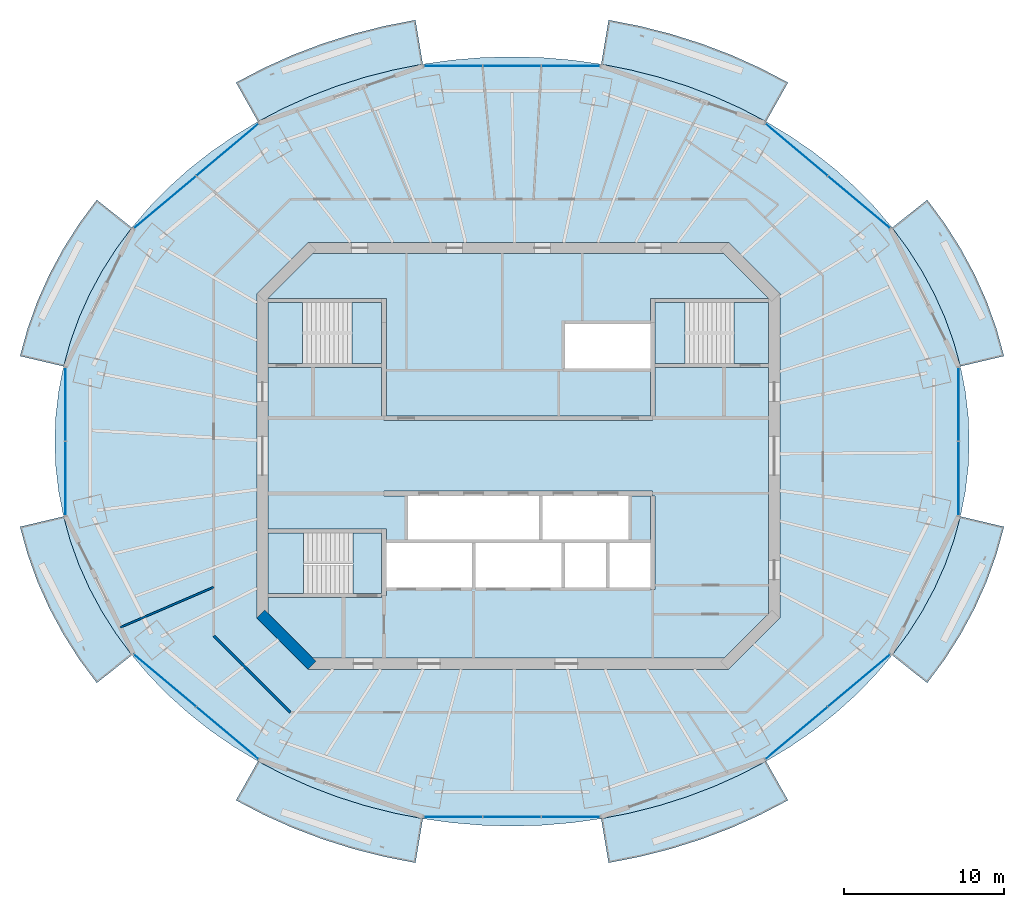
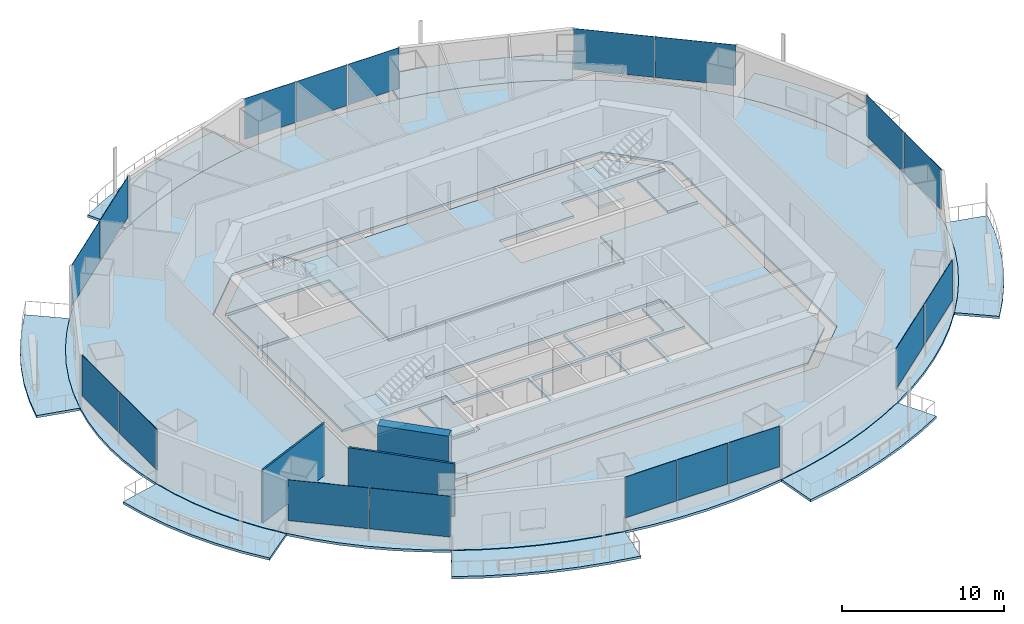
# One storey, part 7 of 16: 18 plates, 17 slabs, 3 walls, 11 elements without a shape of their own.
"""IFC4 building model written with IfcOpenShell, lengths in metres."""

from ifc_helpers import new_model, si_unit, direction, frame, frame_2d, origin, origin_2d, place, context, subcontext, project, spatial, polyline, rectangle, outline, extrude, material, layer, layer_set, type_object, element, aggregate, save


model = new_model("IFC4")

# Units and contexts
model_context = context("Model", 3, precision=1e-05, world=origin(), true_north=direction((0.0, 1.0)))
body_context = subcontext(model_context, "Body", "Model", "MODEL_VIEW")
ifc_project = project(units=[si_unit("LENGTHUNIT", "METRE"), si_unit("AREAUNIT", "SQUARE_METRE"), si_unit("VOLUMEUNIT", "CUBIC_METRE"), si_unit("PLANEANGLEUNIT", "RADIAN"), si_unit("MASSUNIT", "GRAM", prefix="KILO")], contexts=[model_context])

# Site, building, storey
site_placement = place(None, origin())
site = spatial("IfcSite", under=ifc_project, at=site_placement, CompositionType="ELEMENT")
building_placement = place(site_placement, origin())
building = spatial("IfcBuilding", under=site, at=building_placement, Name="Marenthal Gate Tower", CompositionType="ELEMENT")
storey_placement = place(building_placement, frame((0.0, 0.0, 305.25)))
storey = spatial("IfcBuildingStorey", under=building, at=storey_placement, Name="L68", CompositionType="ELEMENT", Elevation=305.25)

# Slabs
ifc_material_1 = material(Name="Concrete 40 MPa", Category="concrete")
ifc_layer_1 = layer(ifc_material_1, 0.179931640625)
ifc_layer_set_1 = layer_set([ifc_layer_1], Name="Balcony deck 180")
slab_type_1 = type_object("IfcSlabType", Name="Balcony deck 180", PredefinedType="USERDEFINED", material=ifc_layer_set_1)
slab_1_placement = place(storey_placement, frame((0.0, 0.0, -0.219970703125)))
element("IfcSlab", 1, at=slab_1_placement, inside=storey, type_object=slab_type_1, Name="Balcony deck L68 bay 1", ObjectType="BALCONY", PredefinedType="USERDEFINED", context=body_context, shape_type="SweptSolid", body=[
    extrude(outline(polyline([(27.646484375, 5.593505859375), (27.2216796875, 7.126708984375), (26.678466796875, 8.63330078125), (26.019287109375, 10.106689453125), (25.2470703125, 11.54052734375), (24.364990234375, 12.928955078125), (23.376708984375, 14.265869140625), (25.5693359375, 16.00732421875), (26.673583984375, 14.513427734375), (27.66259765625, 12.95654296875), (28.53125, 11.343505859375), (29.27490234375, 9.680908203125), (29.8896484375, 7.976318359375), (30.371337890625, 6.23779296875), (27.646484375, 5.593505859375)])), origin(), (0.0, 0.0, 1.0), 0.179931640625),
])
slab_2_placement = place(storey_placement, frame((0.0, 0.0, -0.219970703125)))
element("IfcSlab", 2, at=slab_2_placement, inside=storey, type_object=slab_type_1, Name="Balcony deck L68 bay 3", ObjectType="BALCONY", PredefinedType="USERDEFINED", context=body_context, shape_type="SweptSolid", body=[
    extrude(outline(polyline([(15.487060546875, 20.903564453125), (13.89794921875, 21.73486328125), (12.247802734375, 22.47705078125), (10.543212890625, 23.126708984375), (8.7919921875, 23.68115234375), (7.001220703125, 24.13818359375), (5.1787109375, 24.49560546875), (5.640869140625, 27.25732421875), (7.616943359375, 26.86962890625), (9.560791015625, 26.37353515625), (11.464599609375, 25.770751953125), (13.32080078125, 25.063232421875), (15.121337890625, 24.25341796875), (16.859130859375, 23.34423828125), (15.487060546875, 20.903564453125)])), origin(), (0.0, 0.0, 1.0), 0.179931640625),
])
slab_3_placement = place(storey_placement, frame((0.0, 0.0, -0.219970703125)))
element("IfcSlab", 3, at=slab_3_placement, inside=storey, type_object=slab_type_1, Name="Balcony deck L68 bay 5", ObjectType="BALCONY", PredefinedType="USERDEFINED", context=body_context, shape_type="SweptSolid", body=[
    extrude(outline(polyline([(-5.978759765625, 24.49560546875), (-7.80126953125, 24.13818359375), (-9.591796875, 23.68115234375), (-11.34326171875, 23.126708984375), (-13.047607421875, 22.47705078125), (-14.697998046875, 21.73486328125), (-16.287109375, 20.903564453125), (-17.6591796875, 23.34423828125), (-15.92138671875, 24.25341796875), (-14.12060546875, 25.063232421875), (-12.2646484375, 25.770751953125), (-10.36083984375, 26.37353515625), (-8.4169921875, 26.86962890625), (-6.44091796875, 27.25732421875), (-5.978759765625, 24.49560546875)])), origin(), (0.0, 0.0, 1.0), 0.179931640625),
])
slab_4_placement = place(storey_placement, frame((0.0, 0.0, -0.219970703125)))
element("IfcSlab", 4, at=slab_4_placement, inside=storey, type_object=slab_type_1, Name="Balcony deck L68 bay 7", ObjectType="BALCONY", PredefinedType="USERDEFINED", context=body_context, shape_type="SweptSolid", body=[
    extrude(outline(polyline([(-24.1767578125, 14.265869140625), (-25.164794921875, 12.928955078125), (-26.047119140625, 11.54052734375), (-26.8193359375, 10.106689453125), (-27.478515625, 8.63330078125), (-28.021484375, 7.126708984375), (-28.446533203125, 5.593505859375), (-31.17138671875, 6.23779296875), (-30.689453125, 7.976318359375), (-30.074951171875, 9.680908203125), (-29.331298828125, 11.343505859375), (-28.462646484375, 12.95654296875), (-27.4736328125, 14.513427734375), (-26.369384765625, 16.00732421875), (-24.1767578125, 14.265869140625)])), origin(), (0.0, 0.0, 1.0), 0.179931640625),
])
slab_5_placement = place(storey_placement, frame((0.0, 0.0, -0.219970703125)))
element("IfcSlab", 5, at=slab_5_placement, inside=storey, type_object=slab_type_1, Name="Balcony deck L68 bay 9", ObjectType="BALCONY", PredefinedType="USERDEFINED", context=body_context, shape_type="SweptSolid", body=[
    extrude(outline(polyline([(-28.446533203125, -3.79345703125), (-28.021484375, -5.32666015625), (-27.478515625, -6.833251953125), (-26.8193359375, -8.306640625), (-26.047119140625, -9.740478515625), (-25.164794921875, -11.12890625), (-24.1767578125, -12.4658203125), (-26.369384765625, -14.207275390625), (-27.4736328125, -12.71337890625), (-28.462646484375, -11.156494140625), (-29.331298828125, -9.54345703125), (-30.074951171875, -7.880859375), (-30.689453125, -6.176513671875), (-31.17138671875, -4.437744140625), (-28.446533203125, -3.79345703125)])), origin(), (0.0, 0.0, 1.0), 0.179931640625),
])
slab_6_placement = place(storey_placement, frame((0.0, 0.0, -0.219970703125)))
element("IfcSlab", 6, at=slab_6_placement, inside=storey, type_object=slab_type_1, Name="Balcony deck L68 bay 11", ObjectType="BALCONY", PredefinedType="USERDEFINED", context=body_context, shape_type="SweptSolid", body=[
    extrude(outline(polyline([(-16.287109375, -19.103515625), (-14.697998046875, -19.934814453125), (-13.047607421875, -20.677001953125), (-11.34326171875, -21.32666015625), (-9.591796875, -21.881103515625), (-7.80126953125, -22.338134765625), (-5.978759765625, -22.69580078125), (-6.44091796875, -25.457275390625), (-8.4169921875, -25.069580078125), (-10.36083984375, -24.573486328125), (-12.2646484375, -23.970703125), (-14.12060546875, -23.26318359375), (-15.92138671875, -22.453369140625), (-17.6591796875, -21.544189453125), (-16.287109375, -19.103515625)])), origin(), (0.0, 0.0, 1.0), 0.179931640625),
])
slab_7_placement = place(storey_placement, frame((0.0, 0.0, -0.219970703125)))
element("IfcSlab", 7, at=slab_7_placement, inside=storey, type_object=slab_type_1, Name="Balcony deck L68 bay 13", ObjectType="BALCONY", PredefinedType="USERDEFINED", context=body_context, shape_type="SweptSolid", body=[
    extrude(outline(polyline([(5.1787109375, -22.69580078125), (7.001220703125, -22.338134765625), (8.7919921875, -21.881103515625), (10.543212890625, -21.32666015625), (12.247802734375, -20.677001953125), (13.89794921875, -19.934814453125), (15.487060546875, -19.103515625), (16.859130859375, -21.544189453125), (15.121337890625, -22.453369140625), (13.32080078125, -23.26318359375), (11.464599609375, -23.970703125), (9.560791015625, -24.573486328125), (7.616943359375, -25.069580078125), (5.640869140625, -25.457275390625), (5.1787109375, -22.69580078125)])), origin(), (0.0, 0.0, 1.0), 0.179931640625),
])
slab_8_placement = place(storey_placement, frame((0.0, 0.0, -0.219970703125)))
element("IfcSlab", 8, at=slab_8_placement, inside=storey, type_object=slab_type_1, Name="Balcony deck L68 bay 15", ObjectType="BALCONY", PredefinedType="USERDEFINED", context=body_context, shape_type="SweptSolid", body=[
    extrude(outline(polyline([(23.376708984375, -12.4658203125), (24.364990234375, -11.12890625), (25.2470703125, -9.740478515625), (26.019287109375, -8.306640625), (26.678466796875, -6.833251953125), (27.2216796875, -5.32666015625), (27.646484375, -3.79345703125), (30.371337890625, -4.437744140625), (29.8896484375, -6.176513671875), (29.27490234375, -7.880859375), (28.53125, -9.54345703125), (27.66259765625, -11.156494140625), (26.673583984375, -12.71337890625), (25.5693359375, -14.207275390625), (23.376708984375, -12.4658203125)])), origin(), (0.0, 0.0, 1.0), 0.179931640625),
])
ifc_material_2 = material(Name="Concrete 50 MPa", Category="concrete")
ifc_layer_2 = layer(ifc_material_2, 0.179931640625)
ifc_layer_set_2 = layer_set([ifc_layer_2], Name="Core floor slab 180")
slab_type_2 = type_object("IfcSlabType", Name="Core floor slab 180", PredefinedType="FLOOR", material=ifc_layer_set_2)
slab_9_placement = place(storey_placement, frame((0.0, 0.0, -0.179931640625)))
element("IfcSlab", 9, at=slab_9_placement, inside=storey, type_object=slab_type_2, Name="Core floor L68", PredefinedType="FLOOR", context=body_context, shape_type="SweptSolid", body=[
    extrude(outline(polyline([(12.85498046875, -12.64990234375), (-12.85498046875, -12.64990234375), (-15.64990234375, -9.85498046875), (-15.64990234375, -8.875), (-8.550048828125, -8.875), (-8.550048828125, -8.75), (-8.25, -8.75), (-8.25, -8.239990234375), (-5.60009765625, -8.239990234375), (-2.909912109375, -8.239990234375), (-2.909912109375, -5.4599609375), (-5.60009765625, -5.4599609375), (-8.25, -5.4599609375), (-8.25, -4.574951171875), (-8.550048828125, -4.574951171875), (-15.64990234375, -4.574951171875), (-15.64990234375, 5.52490234375), (-8.550048828125, 5.52490234375), (-8.550048828125, 2.5), (-8.39990234375, 2.5), (-8.39990234375, 2.199951171875), (8.39990234375, 2.199951171875), (8.39990234375, 2.5), (8.550048828125, 2.5), (8.550048828125, 5.52490234375), (15.64990234375, 5.52490234375), (15.64990234375, -9.85498046875), (12.85498046875, -12.64990234375)]), holes=[polyline([(0.0, -8.239990234375), (2.68994140625, -8.239990234375), (2.68994140625, -5.4599609375), (0.0, -5.4599609375), (-2.68994140625, -5.4599609375), (-2.68994140625, -8.239990234375), (0.0, -8.239990234375)]), polyline([(1.2900390625, -5.239990234375), (1.2900390625, -2.5), (1.510009765625, -2.5), (1.510009765625, -5.239990234375), (4.199951171875, -5.239990234375), (6.889892578125, -5.239990234375), (6.889892578125, -2.5), (8.25, -2.5), (8.25, -5.4599609375), (5.7099609375, -5.4599609375), (5.7099609375, -8.239990234375), (8.25, -8.239990234375), (8.25, -8.35009765625), (8.550048828125, -8.35009765625), (8.550048828125, -2.5), (8.39990234375, -2.5), (8.39990234375, -2.199951171875), (-8.39990234375, -2.199951171875), (-8.39990234375, -2.5), (-6.889892578125, -2.5), (-6.889892578125, -5.239990234375), (-4.199951171875, -5.239990234375), (-1.39990234375, -5.239990234375), (1.2900390625, -5.239990234375)]), polyline([(5.489990234375, -5.4599609375), (2.909912109375, -5.4599609375), (2.909912109375, -8.239990234375), (5.489990234375, -8.239990234375), (5.489990234375, -5.4599609375)])]), origin(), (0.0, 0.0, 1.0), 0.179931640625),
])
slab_10_placement = place(storey_placement, frame((0.0, 0.0, -0.179931640625)))
element("IfcSlab", 10, at=slab_10_placement, inside=storey, type_object=slab_type_2, Name="Core floor L68", PredefinedType="FLOOR", context=body_context, shape_type="SweptSolid", body=[
    extrude(outline(polyline([(15.64990234375, 5.77490234375), (13.5, 5.77490234375), (13.5, 9.574951171875), (15.64990234375, 9.574951171875), (15.64990234375, 5.77490234375)])), origin(), (0.0, 0.0, 1.0), 0.179931640625),
])
slab_11_placement = place(storey_placement, frame((0.0, 0.0, -0.179931640625)))
element("IfcSlab", 11, at=slab_11_placement, inside=storey, type_object=slab_type_2, Name="Core floor L68", PredefinedType="FLOOR", context=body_context, shape_type="SweptSolid", body=[
    extrude(outline(polyline([(15.64990234375, 9.824951171875), (8.550048828125, 9.824951171875), (8.25, 9.824951171875), (8.25, 8.35009765625), (8.25, 8.239990234375), (5.60009765625, 8.239990234375), (2.909912109375, 8.239990234375), (2.909912109375, 5.4599609375), (5.60009765625, 5.4599609375), (8.25, 5.4599609375), (8.25, 2.5), (-8.25, 2.5), (-8.25, 8.35009765625), (-8.25, 9.824951171875), (-8.550048828125, 9.824951171875), (-15.64990234375, 9.824951171875), (-15.64990234375, 9.85498046875), (-12.85498046875, 12.64990234375), (12.85498046875, 12.64990234375), (15.64990234375, 9.85498046875), (15.64990234375, 9.824951171875)])), origin(), (0.0, 0.0, 1.0), 0.179931640625),
])
slab_12_placement = place(storey_placement, frame((0.0, 0.0, -0.179931640625)))
element("IfcSlab", 12, at=slab_12_placement, inside=storey, type_object=slab_type_2, Name="Core floor L68", PredefinedType="FLOOR", context=body_context, shape_type="SweptSolid", body=[
    extrude(outline(polyline([(-15.64990234375, 9.574951171875), (-13.5, 9.574951171875), (-13.5, 5.77490234375), (-15.64990234375, 5.77490234375), (-15.64990234375, 9.574951171875)])), origin(), (0.0, 0.0, 1.0), 0.179931640625),
])
slab_13_placement = place(storey_placement, frame((0.0, 0.0, -0.179931640625)))
element("IfcSlab", 13, at=slab_13_placement, inside=storey, type_object=slab_type_2, Name="Core floor L68", PredefinedType="FLOOR", context=body_context, shape_type="SweptSolid", body=[
    extrude(outline(polyline([(-8.550048828125, -4.824951171875), (-8.550048828125, -8.625), (-10.35009765625, -8.625), (-10.35009765625, -4.824951171875), (-8.550048828125, -4.824951171875)])), origin(), (0.0, 0.0, 1.0), 0.179931640625),
])
ifc_material_3 = material(Name="Concrete 35 MPa", Category="concrete")
ifc_layer_3 = layer(ifc_material_3, 0.179931640625)
ifc_layer_set_3 = layer_set([ifc_layer_3], Name="Floor slab 180")
slab_type_3 = type_object("IfcSlabType", Name="Floor slab 180", PredefinedType="FLOOR", material=ifc_layer_set_3)
slab_14_placement = place(storey_placement, frame((0.0, 0.0, -0.179931640625)))
element("IfcSlab", 14, at=slab_14_placement, inside=storey, type_object=slab_type_3, Name="SL-L68-01", PredefinedType="FLOOR", context=body_context, shape_type="SweptSolid", body=[
    extrude(outline(polyline([(28.196044921875, 0.89990234375), (28.134765625, 2.473388671875), (27.951416015625, 4.040283203125), (27.646484375, 5.593505859375), (27.2216796875, 7.126708984375), (26.678466796875, 8.63330078125), (26.019287109375, 10.106689453125), (25.2470703125, 11.54052734375), (24.364990234375, 12.928955078125), (23.376708984375, 14.265869140625), (22.28662109375, 15.545654296875), (21.099609375, 16.762451171875), (19.8203125, 17.91162109375), (18.45458984375, 18.98779296875), (17.008056640625, 19.986572265625), (15.487060546875, 20.903564453125), (13.89794921875, 21.73486328125), (12.247802734375, 22.47705078125), (10.543212890625, 23.126708984375), (8.7919921875, 23.68115234375), (7.001220703125, 24.13818359375), (5.1787109375, 24.49560546875), (3.33251953125, 24.752197265625), (1.47021484375, 24.906494140625), (-0.39990234375, 24.9580078125), (-2.270263671875, 24.906494140625), (-4.132568359375, 24.752197265625), (-5.978759765625, 24.49560546875), (-7.80126953125, 24.13818359375), (-9.591796875, 23.68115234375), (-11.34326171875, 23.126708984375), (-13.047607421875, 22.47705078125), (-14.697998046875, 21.73486328125), (-16.287109375, 20.903564453125), (-17.80810546875, 19.986572265625), (-19.254638671875, 18.98779296875), (-20.620361328125, 17.91162109375), (-21.899658203125, 16.762451171875), (-23.086669921875, 15.545654296875), (-24.1767578125, 14.265869140625), (-25.164794921875, 12.928955078125), (-26.047119140625, 11.54052734375), (-26.8193359375, 10.106689453125), (-27.478515625, 8.63330078125), (-28.021484375, 7.126708984375), (-28.446533203125, 5.593505859375), (-28.75146484375, 4.040283203125), (-28.934814453125, 2.473388671875), (-28.99609375, 0.89990234375), (-28.934814453125, -0.673583984375), (-28.75146484375, -2.240234375), (-28.446533203125, -3.79345703125), (-28.021484375, -5.32666015625), (-27.478515625, -6.833251953125), (-26.8193359375, -8.306640625), (-26.047119140625, -9.740478515625), (-25.164794921875, -11.12890625), (-24.1767578125, -12.4658203125), (-23.086669921875, -13.74560546875), (-21.899658203125, -14.96240234375), (-20.620361328125, -16.111572265625), (-19.254638671875, -17.187744140625), (-17.80810546875, -18.1865234375), (-16.287109375, -19.103515625), (-14.697998046875, -19.934814453125), (-13.047607421875, -20.677001953125), (-11.34326171875, -21.32666015625), (-9.591796875, -21.881103515625), (-7.80126953125, -22.338134765625), (-5.978759765625, -22.69580078125), (-4.132568359375, -22.9521484375), (-2.270263671875, -23.1064453125), (-0.39990234375, -23.157958984375), (1.47021484375, -23.1064453125), (3.33251953125, -22.9521484375), (5.1787109375, -22.69580078125), (7.001220703125, -22.338134765625), (8.7919921875, -21.881103515625), (10.543212890625, -21.32666015625), (12.247802734375, -20.677001953125), (13.89794921875, -19.934814453125), (15.487060546875, -19.103515625), (17.008056640625, -18.1865234375), (18.45458984375, -17.187744140625), (19.8203125, -16.111572265625), (21.099609375, -14.96240234375), (22.28662109375, -13.74560546875), (23.376708984375, -12.4658203125), (24.364990234375, -11.12890625), (25.2470703125, -9.740478515625), (26.019287109375, -8.306640625), (26.678466796875, -6.833251953125), (27.2216796875, -5.32666015625), (27.646484375, -3.79345703125), (27.951416015625, -2.240234375), (28.134765625, -0.673583984375), (28.196044921875, 0.89990234375)]), holes=[polyline([(13.14501953125, -13.35009765625), (16.35009765625, -10.14501953125), (16.35009765625, 10.14501953125), (13.14501953125, 13.35009765625), (-13.14501953125, 13.35009765625), (-16.35009765625, 10.14501953125), (-16.35009765625, -10.14501953125), (-13.14501953125, -13.35009765625), (13.14501953125, -13.35009765625)])]), origin(), (0.0, 0.0, 1.0), 0.179931640625),
])

# Curtain wall, plates
ifc_material_4 = material(Name="Aluminium and glass", Category="aluminium")
curtain_wall_type = type_object("IfcCurtainWallType", Name="Curtain wall typical high", PredefinedType="NOTDEFINED", material=ifc_material_4)
curtain_wall_1_placement = place(storey_placement, origin())
curtain_wall_1 = element("IfcCurtainWall", 15, at=curtain_wall_1_placement, inside=storey, type_object=curtain_wall_type, Name="Curtain wall L68 bay 2", PredefinedType="NOTDEFINED")
ifc_material_5 = material(Name="Glass, laminated insulating unit", Category="glass")
ifc_layer_4 = layer(ifc_material_5, 0.031982421875)
ifc_layer_set_4 = layer_set([ifc_layer_4], Name="Glass panel 32 typical high")
plate_type = type_object("IfcPlateType", Name="Glass panel 32 typical high", PredefinedType="CURTAIN_PANEL", material=ifc_layer_set_4)
plate_1_placement = place(storey_placement, frame((21.30126953125, 15.860107421875, 0.89990234375), z_axis=(0.0, 0.0, 1.0), x_axis=(-0.765462970905, 0.643479945432, 0.0)))
plate_1 = element("IfcPlate", 16, at=plate_1_placement, type_object=plate_type, Name="Glass panel L68 bay 2.1", PredefinedType="CURTAIN_PANEL", context=body_context, shape_type="SweptSolid", body=[
    extrude(rectangle(XDim=5.0419921875, YDim=0.031982421875, at=origin_2d()), origin(), (0.0, 0.0, 1.0), 3.070068359375),
])
plate_2_placement = place(storey_placement, frame((17.39599609375, 19.142822265625, 0.89990234375), z_axis=(0.0, 0.0, 1.0), x_axis=(-0.765462970905, 0.643479945432, 0.0)))
plate_2 = element("IfcPlate", 17, at=plate_2_placement, type_object=plate_type, Name="Glass panel L68 bay 2.2", PredefinedType="CURTAIN_PANEL", context=body_context, shape_type="SweptSolid", body=[
    extrude(rectangle(XDim=5.041748046875, YDim=0.031982421875, at=origin_2d()), origin(), (0.0, 0.0, 1.0), 3.070068359375),
])
aggregate(curtain_wall_1, [plate_1, plate_2])

curtain_wall_2_placement = place(storey_placement, origin())
curtain_wall_2 = element("IfcCurtainWall", 18, at=curtain_wall_2_placement, inside=storey, type_object=curtain_wall_type, Name="Curtain wall L68 bay 4", PredefinedType="NOTDEFINED")
plate_3_placement = place(storey_placement, frame((3.28369140625, 24.3779296875, 0.89990234375), z_axis=(0.0, 0.0, 1.0), x_axis=(-1.0, 0.0, 0.0)))
plate_3 = element("IfcPlate", 19, at=plate_3_placement, type_object=plate_type, Name="Glass panel L68 bay 4.1", PredefinedType="CURTAIN_PANEL", context=body_context, shape_type="SweptSolid", body=[
    extrude(rectangle(XDim=3.62353515625, YDim=0.031982421875, at=origin_2d()), origin(), (0.0, 0.0, 1.0), 3.070068359375),
])
plate_4_placement = place(storey_placement, frame((-0.39990234375, 24.3779296875, 0.89990234375), z_axis=(0.0, 0.0, 1.0), x_axis=(-1.0, 0.0, 0.0)))
plate_4 = element("IfcPlate", 20, at=plate_4_placement, type_object=plate_type, Name="Glass panel L68 bay 4.2", PredefinedType="CURTAIN_PANEL", context=body_context, shape_type="SweptSolid", body=[
    extrude(rectangle(XDim=3.62353515625, YDim=0.031982421875, at=origin_2d()), origin(), (0.0, 0.0, 1.0), 3.070068359375),
])
plate_5_placement = place(storey_placement, frame((-4.08349609375, 24.3779296875, 0.89990234375), z_axis=(0.0, 0.0, 1.0), x_axis=(-1.0, 0.0, 0.0)))
plate_5 = element("IfcPlate", 21, at=plate_5_placement, type_object=plate_type, Name="Glass panel L68 bay 4.3", PredefinedType="CURTAIN_PANEL", context=body_context, shape_type="SweptSolid", body=[
    extrude(rectangle(XDim=3.62353515625, YDim=0.031982421875, at=origin_2d()), origin(), (0.0, 0.0, 1.0), 3.070068359375),
])
aggregate(curtain_wall_2, [plate_3, plate_4, plate_5])

curtain_wall_3_placement = place(storey_placement, origin())
curtain_wall_3 = element("IfcCurtainWall", 22, at=curtain_wall_3_placement, inside=storey, type_object=curtain_wall_type, Name="Curtain wall L68 bay 6", PredefinedType="NOTDEFINED")
plate_6_placement = place(storey_placement, frame((-18.196044921875, 19.142822265625, 0.89990234375), z_axis=(0.0, 0.0, 1.0), x_axis=(-0.765462970905, -0.643479945432, 0.0)))
plate_6 = element("IfcPlate", 23, at=plate_6_placement, type_object=plate_type, Name="Glass panel L68 bay 6.1", PredefinedType="CURTAIN_PANEL", context=body_context, shape_type="SweptSolid", body=[
    extrude(rectangle(XDim=5.0419921875, YDim=0.031982421875, at=origin_2d()), origin(), (0.0, 0.0, 1.0), 3.070068359375),
])
plate_7_placement = place(storey_placement, frame((-22.101318359375, 15.85986328125, 0.89990234375), z_axis=(0.0, 0.0, 1.0), x_axis=(-0.765462970905, -0.643479945432, 0.0)))
plate_7 = element("IfcPlate", 24, at=plate_7_placement, type_object=plate_type, Name="Glass panel L68 bay 6.2", PredefinedType="CURTAIN_PANEL", context=body_context, shape_type="SweptSolid", body=[
    extrude(rectangle(XDim=5.041748046875, YDim=0.031982421875, at=origin_2d()), origin(), (0.0, 0.0, 1.0), 3.070068359375),
])
aggregate(curtain_wall_3, [plate_6, plate_7])

curtain_wall_4_placement = place(storey_placement, origin())
curtain_wall_4 = element("IfcCurtainWall", 25, at=curtain_wall_4_placement, inside=storey, type_object=curtain_wall_type, Name="Curtain wall L68 bay 8", PredefinedType="NOTDEFINED")
plate_8_placement = place(storey_placement, frame((-28.328857421875, 3.219970703125, 0.89990234375), z_axis=(0.0, 0.0, 1.0), x_axis=(0.0, -1.0, 0.0)))
plate_8 = element("IfcPlate", 26, at=plate_8_placement, type_object=plate_type, Name="Glass panel L68 bay 8.1", PredefinedType="CURTAIN_PANEL", context=body_context, shape_type="SweptSolid", body=[
    extrude(rectangle(XDim=4.580078125, YDim=0.031982421875, at=origin_2d()), origin(), (0.0, 0.0, 1.0), 3.070068359375),
])
plate_9_placement = place(storey_placement, frame((-28.328857421875, -1.420166015625, 0.89990234375), z_axis=(0.0, 0.0, 1.0), x_axis=(0.0, -1.0, 0.0)))
plate_9 = element("IfcPlate", 27, at=plate_9_placement, type_object=plate_type, Name="Glass panel L68 bay 8.2", PredefinedType="CURTAIN_PANEL", context=body_context, shape_type="SweptSolid", body=[
    extrude(rectangle(XDim=4.580078125, YDim=0.031982421875, at=origin_2d()), origin(), (0.0, 0.0, 1.0), 3.070068359375),
])
aggregate(curtain_wall_4, [plate_8, plate_9])

curtain_wall_5_placement = place(storey_placement, origin())
curtain_wall_5 = element("IfcCurtainWall", 28, at=curtain_wall_5_placement, inside=storey, type_object=curtain_wall_type, Name="Curtain wall L68 bay 10", PredefinedType="NOTDEFINED")
plate_10_placement = place(storey_placement, frame((-22.101318359375, -14.06005859375, 0.89990234375), z_axis=(0.0, 0.0, 1.0), x_axis=(0.765462970905, -0.643479945432, 0.0)))
plate_10 = element("IfcPlate", 29, at=plate_10_placement, type_object=plate_type, Name="Glass panel L68 bay 10.1", PredefinedType="CURTAIN_PANEL", context=body_context, shape_type="SweptSolid", body=[
    extrude(rectangle(XDim=5.0419921875, YDim=0.031982421875, at=origin_2d()), origin(), (0.0, 0.0, 1.0), 3.070068359375),
])
plate_11_placement = place(storey_placement, frame((-18.196044921875, -17.343017578125, 0.89990234375), z_axis=(0.0, 0.0, 1.0), x_axis=(0.765462970905, -0.643479945432, 0.0)))
plate_11 = element("IfcPlate", 30, at=plate_11_placement, type_object=plate_type, Name="Glass panel L68 bay 10.2", PredefinedType="CURTAIN_PANEL", context=body_context, shape_type="SweptSolid", body=[
    extrude(rectangle(XDim=5.041748046875, YDim=0.031982421875, at=origin_2d()), origin(), (0.0, 0.0, 1.0), 3.070068359375),
])
aggregate(curtain_wall_5, [plate_10, plate_11])

curtain_wall_6_placement = place(storey_placement, origin())
curtain_wall_6 = element("IfcCurtainWall", 31, at=curtain_wall_6_placement, inside=storey, type_object=curtain_wall_type, Name="Curtain wall L68 bay 12", PredefinedType="NOTDEFINED")
plate_12_placement = place(storey_placement, frame((-4.08349609375, -22.577880859375, 0.89990234375), z_axis=(0.0, 0.0, 1.0), x_axis=(1.0, 0.0, 0.0)))
plate_12 = element("IfcPlate", 32, at=plate_12_placement, type_object=plate_type, Name="Glass panel L68 bay 12.1", PredefinedType="CURTAIN_PANEL", context=body_context, shape_type="SweptSolid", body=[
    extrude(rectangle(XDim=3.62353515625, YDim=0.031982421875, at=origin_2d()), origin(), (0.0, 0.0, 1.0), 3.070068359375),
])
plate_13_placement = place(storey_placement, frame((-0.39990234375, -22.577880859375, 0.89990234375), z_axis=(0.0, 0.0, 1.0), x_axis=(1.0, 0.0, 0.0)))
plate_13 = element("IfcPlate", 33, at=plate_13_placement, type_object=plate_type, Name="Glass panel L68 bay 12.2", PredefinedType="CURTAIN_PANEL", context=body_context, shape_type="SweptSolid", body=[
    extrude(rectangle(XDim=3.62353515625, YDim=0.031982421875, at=origin_2d()), origin(), (0.0, 0.0, 1.0), 3.070068359375),
])
plate_14_placement = place(storey_placement, frame((3.28369140625, -22.577880859375, 0.89990234375), z_axis=(0.0, 0.0, 1.0), x_axis=(1.0, 0.0, 0.0)))
plate_14 = element("IfcPlate", 34, at=plate_14_placement, type_object=plate_type, Name="Glass panel L68 bay 12.3", PredefinedType="CURTAIN_PANEL", context=body_context, shape_type="SweptSolid", body=[
    extrude(rectangle(XDim=3.62353515625, YDim=0.031982421875, at=origin_2d()), origin(), (0.0, 0.0, 1.0), 3.070068359375),
])
aggregate(curtain_wall_6, [plate_12, plate_13, plate_14])

curtain_wall_7_placement = place(storey_placement, origin())
curtain_wall_7 = element("IfcCurtainWall", 35, at=curtain_wall_7_placement, inside=storey, type_object=curtain_wall_type, Name="Curtain wall L68 bay 14", PredefinedType="NOTDEFINED")
plate_15_placement = place(storey_placement, frame((17.39599609375, -17.343017578125, 0.89990234375), z_axis=(0.0, 0.0, 1.0), x_axis=(0.765462970905, 0.643479945432, 0.0)))
plate_15 = element("IfcPlate", 36, at=plate_15_placement, type_object=plate_type, Name="Glass panel L68 bay 14.1", PredefinedType="CURTAIN_PANEL", context=body_context, shape_type="SweptSolid", body=[
    extrude(rectangle(XDim=5.0419921875, YDim=0.031982421875, at=origin_2d()), origin(), (0.0, 0.0, 1.0), 3.070068359375),
])
plate_16_placement = place(storey_placement, frame((21.30126953125, -14.06005859375, 0.89990234375), z_axis=(0.0, 0.0, 1.0), x_axis=(0.765462970905, 0.643479945432, 0.0)))
plate_16 = element("IfcPlate", 37, at=plate_16_placement, type_object=plate_type, Name="Glass panel L68 bay 14.2", PredefinedType="CURTAIN_PANEL", context=body_context, shape_type="SweptSolid", body=[
    extrude(rectangle(XDim=5.041748046875, YDim=0.031982421875, at=origin_2d()), origin(), (0.0, 0.0, 1.0), 3.070068359375),
])
aggregate(curtain_wall_7, [plate_15, plate_16])

curtain_wall_8_placement = place(storey_placement, origin())
curtain_wall_8 = element("IfcCurtainWall", 38, at=curtain_wall_8_placement, inside=storey, type_object=curtain_wall_type, Name="Curtain wall L68 bay 16", PredefinedType="NOTDEFINED")
plate_17_placement = place(storey_placement, frame((27.52880859375, -1.420166015625, 0.89990234375), z_axis=(0.0, 0.0, 1.0), x_axis=(0.0, 1.0, 0.0)))
plate_17 = element("IfcPlate", 39, at=plate_17_placement, type_object=plate_type, Name="Glass panel L68 bay 16.1", PredefinedType="CURTAIN_PANEL", context=body_context, shape_type="SweptSolid", body=[
    extrude(rectangle(XDim=4.580078125, YDim=0.031982421875, at=origin_2d()), origin(), (0.0, 0.0, 1.0), 3.070068359375),
])
plate_18_placement = place(storey_placement, frame((27.52880859375, 3.219970703125, 0.89990234375), z_axis=(0.0, 0.0, 1.0), x_axis=(0.0, 1.0, 0.0)))
plate_18 = element("IfcPlate", 40, at=plate_18_placement, type_object=plate_type, Name="Glass panel L68 bay 16.2", PredefinedType="CURTAIN_PANEL", context=body_context, shape_type="SweptSolid", body=[
    extrude(rectangle(XDim=4.580078125, YDim=0.031982421875, at=origin_2d()), origin(), (0.0, 0.0, 1.0), 3.070068359375),
])
aggregate(curtain_wall_8, [plate_17, plate_18])

# Stair, slab
ifc_material_6 = material(Name="Concrete 40 MPa", Category="concrete")
stair_type = type_object("IfcStairType", Name="Exit stair 1800", PredefinedType="HALF_TURN_STAIR", material=ifc_material_6)
stair_1_placement = place(storey_placement, origin())
stair_1 = element("IfcStair", 41, at=stair_1_placement, inside=storey, type_object=stair_type, Name="Stair ST1", PredefinedType="HALF_TURN_STAIR")
ifc_material_7 = material(Name="Concrete 40 MPa", Category="concrete")
ifc_layer_5 = layer(ifc_material_7, 0.199951171875)
ifc_layer_set_5 = layer_set([ifc_layer_5], Name="Stair landing 200")
slab_type_4 = type_object("IfcSlabType", Name="Stair landing 200", PredefinedType="LANDING", material=ifc_layer_set_5)
slab_15_placement = place(storey_placement, frame((0.0, 0.0, 1.875)))
slab_15 = element("IfcSlab", 42, at=slab_15_placement, type_object=slab_type_4, Name="ST1 landing 1", PredefinedType="LANDING", context=body_context, shape_type="SweptSolid", body=[
    extrude(outline(polyline([(-10.419921875, 5.77490234375), (-8.550048828125, 5.77490234375), (-8.550048828125, 9.574951171875), (-10.419921875, 9.574951171875), (-10.419921875, 5.77490234375)])), origin(), (0.0, 0.0, 1.0), 0.199951171875),
])
aggregate(stair_1, [slab_15])

stair_2_placement = place(storey_placement, origin())
stair_2 = element("IfcStair", 43, at=stair_2_placement, inside=storey, type_object=stair_type, Name="Stair ST2", PredefinedType="HALF_TURN_STAIR")
slab_16_placement = place(storey_placement, frame((0.0, 0.0, 1.875)))
slab_16 = element("IfcSlab", 44, at=slab_16_placement, type_object=slab_type_4, Name="ST2 landing 1", PredefinedType="LANDING", context=body_context, shape_type="SweptSolid", body=[
    extrude(outline(polyline([(-15.64990234375, -8.625), (-13.429931640625, -8.625), (-13.429931640625, -4.824951171875), (-15.64990234375, -4.824951171875), (-15.64990234375, -8.625)])), origin(), (0.0, 0.0, 1.0), 0.199951171875),
])
aggregate(stair_2, [slab_16])

stair_3_placement = place(storey_placement, origin())
stair_3 = element("IfcStair", 45, at=stair_3_placement, inside=storey, type_object=stair_type, Name="Stair ST3", PredefinedType="HALF_TURN_STAIR")
slab_17_placement = place(storey_placement, frame((0.0, 0.0, 1.875)))
slab_17 = element("IfcSlab", 46, at=slab_17_placement, type_object=slab_type_4, Name="ST3 landing 1", PredefinedType="LANDING", context=body_context, shape_type="SweptSolid", body=[
    extrude(outline(polyline([(8.550048828125, 5.77490234375), (10.419921875, 5.77490234375), (10.419921875, 9.574951171875), (8.550048828125, 9.574951171875), (8.550048828125, 5.77490234375)])), origin(), (0.0, 0.0, 1.0), 0.199951171875),
])
aggregate(stair_3, [slab_17])

# Walls
ifc_material_8 = material(Name="Concrete 60 MPa", Category="concrete")
ifc_layer_6 = layer(ifc_material_8, 0.699951171875)
ifc_layer_set_6 = layer_set([ifc_layer_6], Name="Core shear wall 700")
wall_type_1 = type_object("IfcWallType", Name="Core shear wall 700", PredefinedType="SHEAR", material=ifc_layer_set_6)
wall_1_placement = place(storey_placement, frame((-16.1025390625, -9.8974609375, -0.179931640625), z_axis=(0.0, 0.0, 1.0), x_axis=(0.707106781187, -0.707106781187, 0.0)))
element("IfcWall", 47, at=wall_1_placement, inside=storey, type_object=wall_type_1, Name="Core wall 07", PredefinedType="SHEAR", context=body_context, shape_type="SweptSolid", body=[
    extrude(rectangle(XDim=4.53271484375, YDim=0.699951171875, at=frame_2d((2.266357421875, 0.0))), origin(), (0.0, 0.0, 1.0), 4.14990234375),
])
ifc_material_9 = material(Name="Gypsum board on steel studs", Category="steel")
ifc_layer_7 = layer(ifc_material_9, 0.1201171875)
ifc_layer_set_7 = layer_set([ifc_layer_7], Name="Partition 120")
wall_type_2 = type_object("IfcWallType", Name="Partition 120", PredefinedType="PARTITIONING", material=ifc_layer_set_7)
wall_2_placement = place(storey_placement, frame((-19.050048828125, -8.210205078125, 0.0), z_axis=(0.0, 0.0, 1.0), x_axis=(-0.918342103528, -0.39578754514, 0.0)))
element("IfcWall", 48, at=wall_2_placement, inside=storey, type_object=wall_type_2, Name="Partition wall 53", PredefinedType="PARTITIONING", context=body_context, shape_type="SweptSolid", body=[
    extrude(rectangle(XDim=6.368896484375, YDim=0.1201171875, at=frame_2d((3.1845703125, 0.0))), origin(), (0.0, 0.0, 1.0), 3.969970703125),
])
ifc_material_10 = material(Name="Gypsum board on steel studs", Category="steel")
ifc_layer_8 = layer(ifc_material_10, 0.14990234375)
ifc_layer_set_8 = layer_set([ifc_layer_8], Name="Partition 150")
wall_type_3 = type_object("IfcWallType", Name="Partition 150", PredefinedType="PARTITIONING", material=ifc_layer_set_8)
wall_3_placement = place(storey_placement, frame((-14.263427734375, -16.050048828125, 0.0), z_axis=(0.0, 0.0, 1.0), x_axis=(-0.707106781187, 0.707106781187, 0.0)))
element("IfcWall", 49, at=wall_3_placement, inside=storey, type_object=wall_type_3, Name="Partition wall 56", PredefinedType="PARTITIONING", context=body_context, shape_type="SweptSolid", body=[
    extrude(rectangle(XDim=6.769287109375, YDim=0.14990234375, at=frame_2d((3.384765625, 0.0))), origin(), (0.0, 0.0, 1.0), 3.969970703125),
])

save(model, "model.ifc")
